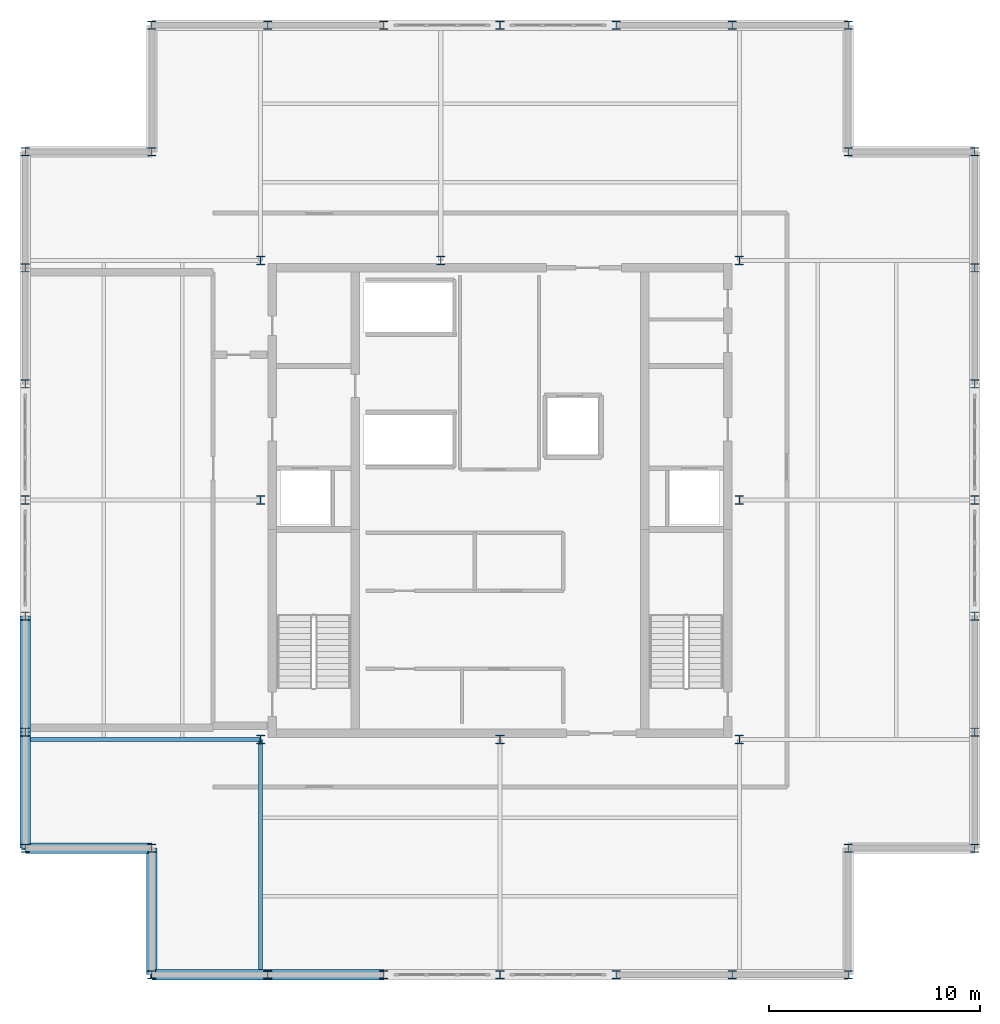
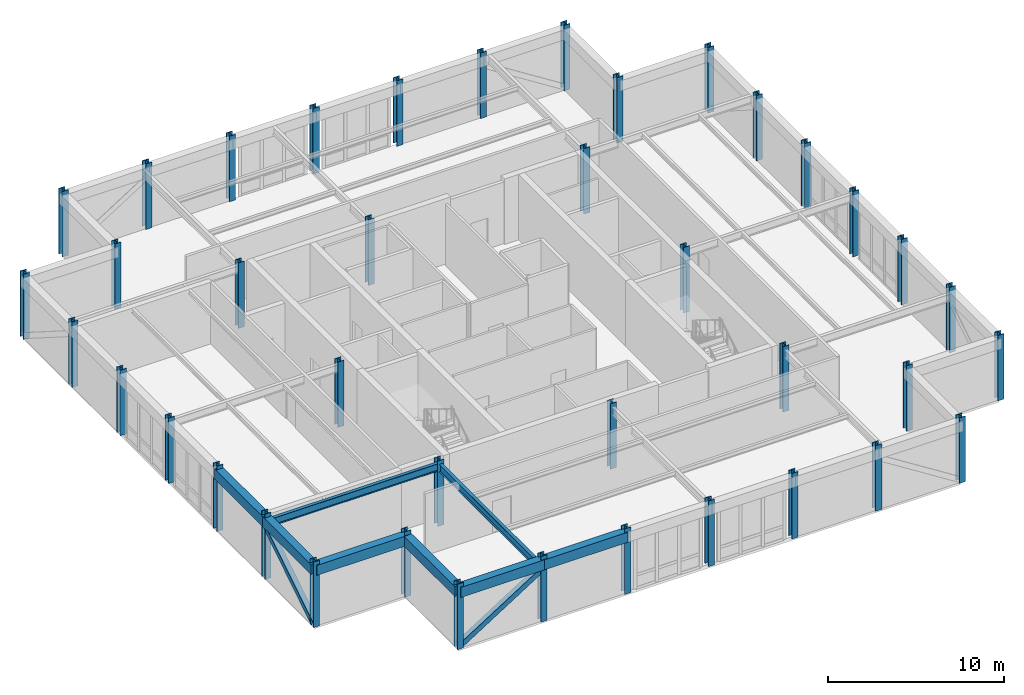
# One storey, part 1 of 9: 40 columns, 8 beams, 2 members.
"""IFC4 building model written with IfcOpenShell, lengths in metres."""

from ifc_helpers import new_model, si_unit, direction, frame, origin, origin_2d, place, context, subcontext, project, spatial, rectangle, hollow_rectangle, i_section, extrude, material, material_profile, profile_set, type_object, element, save


model = new_model("IFC4")

# Units and contexts
model_context = context("Model", 3, precision=1e-05, world=origin(), true_north=direction((0.0, 1.0)))
body_context = subcontext(model_context, "Body", "Model", "MODEL_VIEW")
ifc_project = project(units=[si_unit("LENGTHUNIT", "METRE"), si_unit("AREAUNIT", "SQUARE_METRE"), si_unit("VOLUMEUNIT", "CUBIC_METRE"), si_unit("PLANEANGLEUNIT", "RADIAN"), si_unit("MASSUNIT", "GRAM", prefix="KILO")], contexts=[model_context])

# Site, building, storey
site_placement = place(None, origin())
site = spatial("IfcSite", under=ifc_project, at=site_placement, CompositionType="ELEMENT")
building_placement = place(site_placement, origin())
building = spatial("IfcBuilding", under=site, at=building_placement, Name="Nhamokura Convention Tower", CompositionType="ELEMENT")
storey_placement = place(building_placement, frame((0.0, 0.0, 313.25)))
storey = spatial("IfcBuildingStorey", under=building, at=storey_placement, Name="L77", CompositionType="ELEMENT", Elevation=313.25)

# Columns
ifc_material_1 = material(Name="Steel ASTM A572 Gr 50", Category="steel")
ifc_material_profile_1 = material_profile(ifc_material_1, i_section(OverallWidth=0.404052734375, OverallDepth=0.406982421875, WebThickness=0.027099609375, FlangeThickness=0.043701171875, at=origin_2d()))
ifc_profile_set_1 = profile_set([ifc_material_profile_1], Name="Steel ASTM A572 Gr 50")
column_type = type_object("IfcColumnType", Name="CrownColumn_W360X347", PredefinedType="COLUMN", material=ifc_profile_set_1)
for number, where, z_axis, x_axis, name in (
    (1, (20.64990234375, 20.64990234375, 0.0), (0.0, 0.0, 1.0), (1.0, 0.0, 0.0), "L77 Core Column CC-SW"),
    (2, (32.0, 20.64990234375, 0.0), (0.0, 0.0, 1.0), (1.0, 0.0, 0.0), "L77 Core Column CC-S"),
    (3, (43.35009765625, 20.64990234375, 0.0), (0.0, 0.0, 1.0), (1.0, 0.0, 0.0), "L77 Core Column CC-SE"),
    (4, (43.35009765625, 32.0, 0.0), (0.0, 0.0, 1.0), (1.0, 0.0, 0.0), "L77 Core Column CC-E"),
    (5, (43.35009765625, 43.35009765625, 0.0), (0.0, 0.0, 1.0), (1.0, 0.0, 0.0), "L77 Core Column CC-NE"),
    (6, (29.199951171875, 43.35009765625, 0.0), (0.0, 0.0, 1.0), (1.0, 0.0, 0.0), "L77 Core Column CC-N"),
    (7, (20.64990234375, 43.35009765625, 0.0), (0.0, 0.0, 1.0), (1.0, 0.0, 0.0), "L77 Core Column CC-NW"),
    (8, (20.64990234375, 32.0, 0.0), (0.0, 0.0, 1.0), (1.0, 0.0, 0.0), "L77 Core Column CC-W"),
    (9, (15.5, 9.5, 0.0), (0.0, 0.0, 1.0), (1.0, 0.0, 0.0), "L77 Perimeter Tube Column SW1"),
    (10, (15.5, 15.5, 0.0), (0.0, 0.0, 1.0), (1.0, 0.0, 0.0), "L77 Perimeter Tube Column SW0"),
    (11, (9.5, 15.5, 0.0), (0.0, 0.0, 1.0), (1.0, 0.0, 0.0), "L77 Perimeter Tube Column SW2"),
    (12, (48.5, 9.5, 0.0), (0.0, 0.0, 1.0), (1.0, 0.0, 0.0), "L77 Perimeter Tube Column SE1"),
    (13, (48.5, 15.5, 0.0), (0.0, 0.0, 1.0), (1.0, 0.0, 0.0), "L77 Perimeter Tube Column SE0"),
    (14, (54.5, 15.5, 0.0), (0.0, 0.0, 1.0), (1.0, 0.0, 0.0), "L77 Perimeter Tube Column SE2"),
    (15, (54.5, 48.5, 0.0), (0.0, 0.0, 1.0), (1.0, 0.0, 0.0), "L77 Perimeter Tube Column NE1"),
    (16, (48.5, 48.5, 0.0), (0.0, 0.0, 1.0), (1.0, 0.0, 0.0), "L77 Perimeter Tube Column NE0"),
    (17, (48.5, 54.5, 0.0), (0.0, 0.0, 1.0), (1.0, 0.0, 0.0), "L77 Perimeter Tube Column NE2"),
    (18, (15.5, 54.5, 0.0), (0.0, 0.0, 1.0), (1.0, 0.0, 0.0), "L77 Perimeter Tube Column NW1"),
    (19, (15.5, 48.5, 0.0), (0.0, 0.0, 1.0), (1.0, 0.0, 0.0), "L77 Perimeter Tube Column NW0"),
    (20, (9.5, 48.5, 0.0), (0.0, 0.0, 1.0), (1.0, 0.0, 0.0), "L77 Perimeter Tube Column NW2"),
    (21, (21.0, 9.5, 0.0), (0.0, 0.0, 1.0), (1.0, 0.0, 0.0), "L77 Perimeter Tube Column S1"),
    (22, (21.0, 54.5, 0.0), (0.0, 0.0, 1.0), (1.0, 0.0, 0.0), "L77 Perimeter Tube Column N1"),
    (23, (9.5, 21.0, 0.0), (0.0, 0.0, 1.0), (1.0, 0.0, 0.0), "L77 Perimeter Tube Column W1"),
    (24, (54.5, 21.0, 0.0), (0.0, 0.0, 1.0), (1.0, 0.0, 0.0), "L77 Perimeter Tube Column E1"),
    (25, (26.5, 9.5, 0.0), (0.0, 0.0, 1.0), (1.0, 0.0, 0.0), "L77 Perimeter Tube Column S2"),
    (26, (26.5, 54.5, 0.0), (0.0, 0.0, 1.0), (1.0, 0.0, 0.0), "L77 Perimeter Tube Column N2"),
    (27, (9.5, 26.5, 0.0), (0.0, 0.0, 1.0), (1.0, 0.0, 0.0), "L77 Perimeter Tube Column W2"),
    (28, (54.5, 26.5, 0.0), (0.0, 0.0, 1.0), (1.0, 0.0, 0.0), "L77 Perimeter Tube Column E2"),
    (29, (32.0, 9.5, 0.0), (0.0, 0.0, 1.0), (1.0, 0.0, 0.0), "L77 Perimeter Tube Column S3"),
    (30, (32.0, 54.5, 0.0), (0.0, 0.0, 1.0), (1.0, 0.0, 0.0), "L77 Perimeter Tube Column N3"),
    (31, (9.5, 32.0, 0.0), (0.0, 0.0, 1.0), (1.0, 0.0, 0.0), "L77 Perimeter Tube Column W3"),
    (32, (54.5, 32.0, 0.0), (0.0, 0.0, 1.0), (1.0, 0.0, 0.0), "L77 Perimeter Tube Column E3"),
    (33, (37.5, 9.5, 0.0), (0.0, 0.0, 1.0), (1.0, 0.0, 0.0), "L77 Perimeter Tube Column S4"),
    (34, (37.5, 54.5, 0.0), (0.0, 0.0, 1.0), (1.0, 0.0, 0.0), "L77 Perimeter Tube Column N4"),
    (35, (9.5, 37.5, 0.0), (0.0, 0.0, 1.0), (1.0, 0.0, 0.0), "L77 Perimeter Tube Column W4"),
    (36, (54.5, 37.5, 0.0), (0.0, 0.0, 1.0), (1.0, 0.0, 0.0), "L77 Perimeter Tube Column E4"),
    (37, (43.0, 9.5, 0.0), (0.0, 0.0, 1.0), (1.0, 0.0, 0.0), "L77 Perimeter Tube Column S5"),
    (38, (43.0, 54.5, 0.0), (0.0, 0.0, 1.0), (1.0, 0.0, 0.0), "L77 Perimeter Tube Column N5"),
    (39, (9.5, 43.0, 0.0), (0.0, 0.0, 1.0), (1.0, 0.0, 0.0), "L77 Perimeter Tube Column W5"),
    (40, (54.5, 43.0, 0.0), (0.0, 0.0, 1.0), (1.0, 0.0, 0.0), "L77 Perimeter Tube Column E5"),
):
    element("IfcColumn", number, at=place(storey_placement, frame(where, z_axis=z_axis, x_axis=x_axis)), inside=storey, type_object=column_type, Name=name, PredefinedType="COLUMN", context=body_context, shape_type="SweptSolid", body=[
        extrude(i_section(OverallWidth=0.404052734375, OverallDepth=0.406982421875, WebThickness=0.027099609375, FlangeThickness=0.043701171875, at=origin_2d()), origin(), (0.0, 0.0, 1.0), 4.550048828125),
    ])

# Beams
ifc_material_2 = material(Name="Steel ASTM A992 Gr 50", Category="steel")
ifc_material_profile_2 = material_profile(ifc_material_2, i_section(OverallWidth=0.208984375, OverallDepth=0.532958984375, WebThickness=0.01025390625, FlangeThickness=0.015625, at=origin_2d()))
ifc_profile_set_2 = profile_set([ifc_material_profile_2], Name="Steel ASTM A992 Gr 50")
beam_type_1 = type_object("IfcBeamType", Name="PrimaryGirder_W530X92", PredefinedType="BEAM", material=ifc_profile_set_2)
for number, where, z_axis, x_axis, name in (
    (41, (20.64990234375, 9.5, 4.0234375), (0.0, 1.0, 0.0), (-1.0, 0.0, 0.0), "L77 Primary Floor Girder PG-S1"),
    (42, (9.5, 20.64990234375, 4.0234375), (1.0, 0.0, 0.0), (0.0, 1.0, 0.0), "L77 Primary Floor Girder PG-W1"),
):
    element("IfcBeam", number, at=place(storey_placement, frame(where, z_axis=z_axis, x_axis=x_axis)), inside=storey, type_object=beam_type_1, Name=name, PredefinedType="BEAM", context=body_context, shape_type="SweptSolid", body=[
        extrude(i_section(OverallWidth=0.208984375, OverallDepth=0.532958984375, WebThickness=0.01025390625, FlangeThickness=0.015625, at=origin_2d()), origin(), (0.0, 0.0, 1.0), 11.14990234375),
    ])

# Members
ifc_material_3 = material(Name="Steel ASTM A572 Gr 50", Category="steel")
ifc_material_profile_3 = material_profile(ifc_material_3, hollow_rectangle(XDim=0.35009765625, YDim=0.35009765625, WallThickness=0.01611328125, at=origin_2d()))
ifc_profile_set_3 = profile_set([ifc_material_profile_3], Name="Steel ASTM A572 Gr 50")
member_type = type_object("IfcMemberType", Name="TubeBrace_HSS350", PredefinedType="BRACE", material=ifc_profile_set_3)
for number, where, z_axis, x_axis, name in (
    (43, (15.5, 9.5, 0.14990234375), (0.84435681045, 0.0, 0.535781276872), (0.0, 1.0, 0.0), "L77 Perimeter Tube Brace SOUTH Bay 0"),
    (44, (9.5, 15.5, 0.14990234375), (0.0, 0.84435681045, 0.535781276872), (-1.0, 0.0, 0.0), "L77 Perimeter Tube Brace WEST Bay 0"),
):
    element("IfcMember", number, at=place(storey_placement, frame(where, z_axis=z_axis, x_axis=x_axis)), inside=storey, type_object=member_type, Name=name, PredefinedType="BRACE", context=body_context, shape_type="SweptSolid", body=[
        extrude(hollow_rectangle(XDim=0.35009765625, YDim=0.35009765625, WallThickness=0.01611328125, at=origin_2d()), origin(), (0.0, 0.0, 1.0), 6.513916015625),
    ])

# Beams
ifc_material_4 = material(Name="Concrete C50/60", Category="concrete")
ifc_material_profile_4 = material_profile(ifc_material_4, rectangle(XDim=0.5, YDim=0.699951171875, at=origin_2d()))
ifc_profile_set_4 = profile_set([ifc_material_profile_4], Name="Concrete C50/60")
beam_type_2 = type_object("IfcBeamType", Name="TubeSpandrel_700", PredefinedType="SPANDREL", material=ifc_profile_set_4)
for number, where, z_axis, x_axis, name in (
    (45, (15.5, 9.5, 3.93994140625), (1.0, 0.0, 0.0), (0.0, 1.0, 0.0), "L77 Perimeter Spandrel SOUTH 1"),
    (46, (21.0, 9.5, 3.93994140625), (1.0, 0.0, 0.0), (0.0, 1.0, 0.0), "L77 Perimeter Spandrel SOUTH 2"),
    (47, (9.5, 15.5, 3.93994140625), (0.0, 1.0, 0.0), (-1.0, 0.0, 0.0), "L77 Perimeter Spandrel WEST 1"),
    (48, (9.5, 21.0, 3.93994140625), (0.0, 1.0, 0.0), (-1.0, 0.0, 0.0), "L77 Perimeter Spandrel WEST 2"),
):
    element("IfcBeam", number, at=place(storey_placement, frame(where, z_axis=z_axis, x_axis=x_axis)), inside=storey, type_object=beam_type_2, Name=name, PredefinedType="SPANDREL", context=body_context, shape_type="SweptSolid", body=[
        extrude(rectangle(XDim=0.5, YDim=0.699951171875, at=origin_2d()), origin(), (0.0, 0.0, 1.0), 5.5),
    ])
for number, where, z_axis, x_axis, name in (
    (49, (15.5, 9.5, 3.93994140625), (0.0, 1.0, 0.0), (-1.0, 0.0, 0.0), "L77 Notch Spandrel SW1"),
    (50, (15.5, 15.5, 3.93994140625), (-1.0, 0.0, 0.0), (0.0, -1.0, 0.0), "L77 Notch Spandrel SW2"),
):
    element("IfcBeam", number, at=place(storey_placement, frame(where, z_axis=z_axis, x_axis=x_axis)), inside=storey, type_object=beam_type_2, Name=name, PredefinedType="SPANDREL", context=body_context, shape_type="SweptSolid", body=[
        extrude(rectangle(XDim=0.5, YDim=0.699951171875, at=origin_2d()), origin(), (0.0, 0.0, 1.0), 6.0),
    ])

save(model, "model.ifc")
